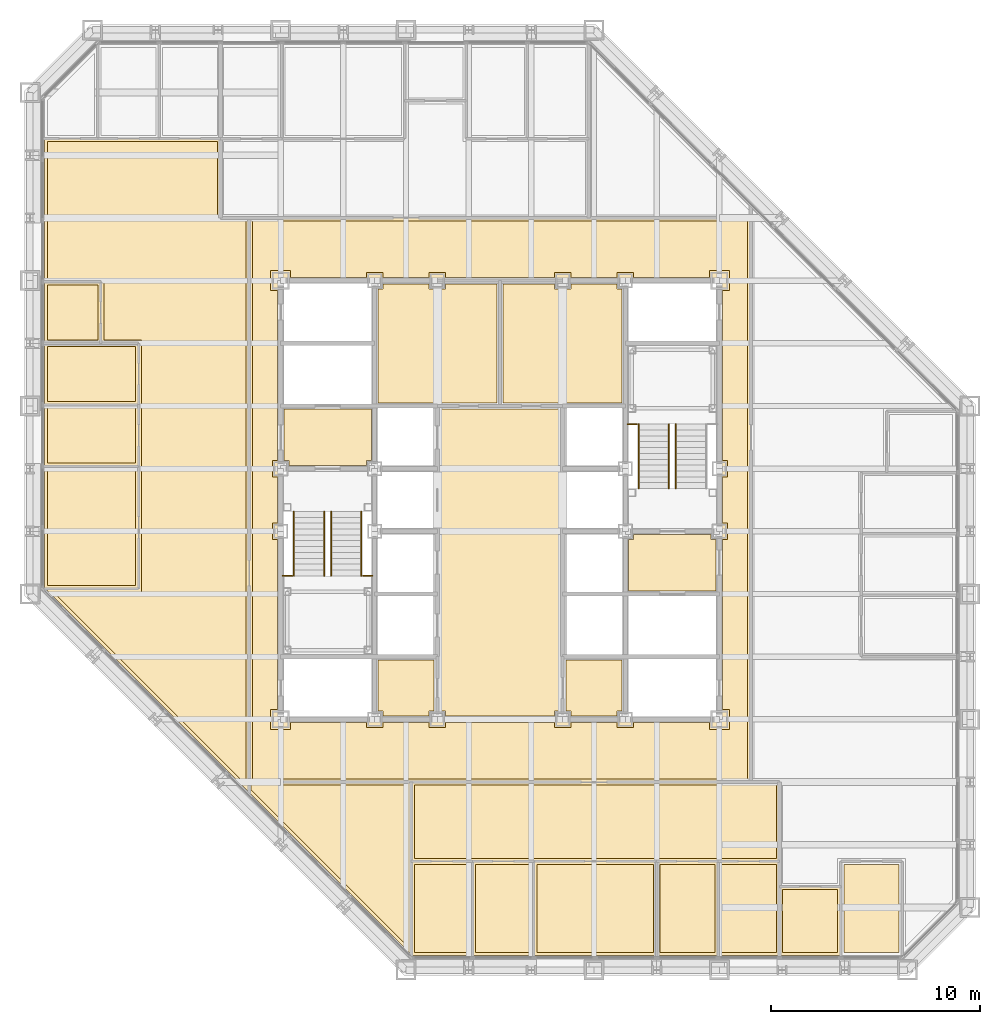
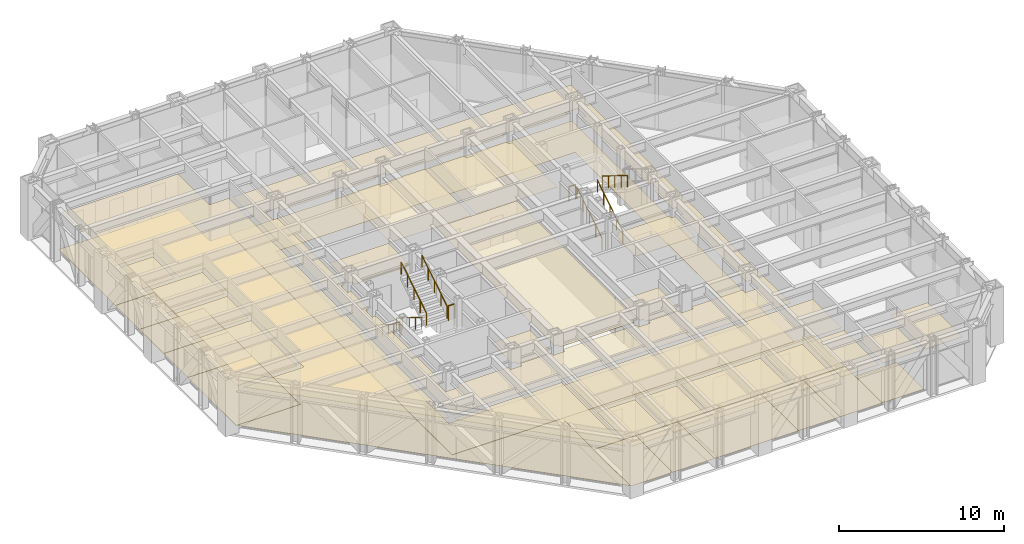
# One storey, part 14 of 16: 35 coverings, 10 railings.
"""IFC4 building model written with IfcOpenShell, lengths in metres."""

from ifc_helpers import new_model, si_unit, direction, frame, origin, origin_2d, place, context, subcontext, project, spatial, polyline, circle, outline, extrude, material, layer, layer_set, type_object, element, save


model = new_model("IFC4")

# Units and contexts
model_context = context("Model", 3, precision=1e-05, world=origin(), true_north=direction((0.0, 1.0)))
body_context = subcontext(model_context, "Body", "Model", "MODEL_VIEW")
ifc_project = project(units=[si_unit("LENGTHUNIT", "METRE"), si_unit("AREAUNIT", "SQUARE_METRE"), si_unit("VOLUMEUNIT", "CUBIC_METRE"), si_unit("PLANEANGLEUNIT", "RADIAN"), si_unit("MASSUNIT", "GRAM", prefix="KILO")], contexts=[model_context])

# Site, building, storey
site_placement = place(None, origin())
site = spatial("IfcSite", under=ifc_project, at=site_placement, CompositionType="ELEMENT")
building_placement = place(site_placement, origin())
building = spatial("IfcBuilding", under=site, at=building_placement, Name="Chuquiago Exchange Tower", CompositionType="ELEMENT")
storey_placement = place(building_placement, frame((0.0, 0.0, 106.800048828125)))
storey = spatial("IfcBuildingStorey", under=building, at=storey_placement, Name="L22", CompositionType="ELEMENT", Elevation=106.800048828125)

# Coverings
ifc_material_1 = material(Name="Mineral fibre tile, 600 x 600, on pale metal grid", Category="mineral fibre")
ifc_layer_1 = layer(ifc_material_1, 0.02001953125)
ifc_layer_set_1 = layer_set([ifc_layer_1], Name="CL1 suspended tile ceiling 20")
covering_type_1 = type_object("IfcCoveringType", Name="CL1 suspended tile ceiling 20", PredefinedType="CEILING", material=ifc_layer_set_1)
covering_1_placement = place(storey_placement, frame((0.0, 0.0, 2.800048828125)))
element("IfcCovering", 1, at=covering_1_placement, inside=storey, type_object=covering_type_1, Name="Ceiling Office", PredefinedType="CEILING", context=body_context, shape_type="SweptSolid", body=[
    extrude(outline(polyline([(18.3984375, 5.050048828125), (21.036376953125, 5.050048828125), (21.036376953125, 0.85009765625), (18.3984375, 0.85009765625), (18.3984375, 5.050048828125)])), origin(), (0.0, 0.0, 1.0), 0.02001953125),
])
covering_2_placement = place(storey_placement, frame((0.0, 0.0, 2.800048828125)))
element("IfcCovering", 2, at=covering_2_placement, inside=storey, type_object=covering_type_1, Name="Ceiling Office", PredefinedType="CEILING", context=body_context, shape_type="SweptSolid", body=[
    extrude(outline(polyline([(21.33642578125, 5.050048828125), (23.974365234375, 5.050048828125), (23.974365234375, 0.85009765625), (21.33642578125, 0.85009765625), (21.33642578125, 5.050048828125)])), origin(), (0.0, 0.0, 1.0), 0.02001953125),
])
covering_3_placement = place(storey_placement, frame((0.0, 0.0, 2.800048828125)))
element("IfcCovering", 3, at=covering_3_placement, inside=storey, type_object=covering_type_1, Name="Ceiling Meeting room", PredefinedType="CEILING", context=body_context, shape_type="SweptSolid", body=[
    extrude(outline(polyline([(24.2744140625, 5.050048828125), (29.85009765625, 5.050048828125), (29.85009765625, 0.85009765625), (24.2744140625, 0.85009765625), (24.2744140625, 5.050048828125)])), origin(), (0.0, 0.0, 1.0), 0.02001953125),
])
covering_4_placement = place(storey_placement, frame((0.0, 0.0, 2.800048828125)))
element("IfcCovering", 4, at=covering_4_placement, inside=storey, type_object=covering_type_1, Name="Ceiling Office", PredefinedType="CEILING", context=body_context, shape_type="SweptSolid", body=[
    extrude(outline(polyline([(30.14990234375, 5.050048828125), (32.787841796875, 5.050048828125), (32.787841796875, 0.85009765625), (30.14990234375, 0.85009765625), (30.14990234375, 5.050048828125)])), origin(), (0.0, 0.0, 1.0), 0.02001953125),
])
covering_5_placement = place(storey_placement, frame((0.0, 0.0, 2.800048828125)))
element("IfcCovering", 5, at=covering_5_placement, inside=storey, type_object=covering_type_1, Name="Ceiling Office", PredefinedType="CEILING", context=body_context, shape_type="SweptSolid", body=[
    extrude(outline(polyline([(33.087890625, 5.050048828125), (35.7255859375, 5.050048828125), (35.7255859375, 0.85009765625), (33.087890625, 0.85009765625), (33.087890625, 5.050048828125)])), origin(), (0.0, 0.0, 1.0), 0.02001953125),
])
covering_6_placement = place(storey_placement, frame((0.0, 0.0, 2.800048828125)))
element("IfcCovering", 6, at=covering_6_placement, inside=storey, type_object=covering_type_1, Name="Ceiling Pantry", PredefinedType="CEILING", context=body_context, shape_type="SweptSolid", body=[
    extrude(outline(polyline([(36.025634765625, 3.85009765625), (38.66357421875, 3.85009765625), (38.66357421875, 0.85009765625), (36.025634765625, 0.85009765625), (36.025634765625, 3.85009765625)])), origin(), (0.0, 0.0, 1.0), 0.02001953125),
])
covering_7_placement = place(storey_placement, frame((0.0, 0.0, 2.800048828125)))
element("IfcCovering", 7, at=covering_7_placement, inside=storey, type_object=covering_type_1, Name="Ceiling Office", PredefinedType="CEILING", context=body_context, shape_type="SweptSolid", body=[
    extrude(outline(polyline([(38.963623046875, 0.85009765625), (38.963623046875, 5.050048828125), (41.6015625, 5.050048828125), (41.6015625, 0.85009765625), (38.963623046875, 0.85009765625)])), origin(), (0.0, 0.0, 1.0), 0.02001953125),
])
covering_8_placement = place(storey_placement, frame((0.0, 0.0, 2.800048828125)))
element("IfcCovering", 8, at=covering_8_placement, inside=storey, type_object=covering_type_1, Name="Ceiling Meeting room", PredefinedType="CEILING", context=body_context, shape_type="SweptSolid", body=[
    extrude(outline(polyline([(0.85009765625, 23.974365234375), (5.050048828125, 23.974365234375), (5.050048828125, 18.3984375), (0.85009765625, 18.3984375), (0.85009765625, 23.974365234375)])), origin(), (0.0, 0.0, 1.0), 0.02001953125),
])
covering_9_placement = place(storey_placement, frame((0.0, 0.0, 2.800048828125)))
element("IfcCovering", 9, at=covering_9_placement, inside=storey, type_object=covering_type_1, Name="Ceiling Office", PredefinedType="CEILING", context=body_context, shape_type="SweptSolid", body=[
    extrude(outline(polyline([(5.050048828125, 26.912109375), (5.050048828125, 24.2744140625), (0.85009765625, 24.2744140625), (0.85009765625, 26.912109375), (5.050048828125, 26.912109375)])), origin(), (0.0, 0.0, 1.0), 0.02001953125),
])
covering_10_placement = place(storey_placement, frame((0.0, 0.0, 2.800048828125)))
element("IfcCovering", 10, at=covering_10_placement, inside=storey, type_object=covering_type_1, Name="Ceiling Office", PredefinedType="CEILING", context=body_context, shape_type="SweptSolid", body=[
    extrude(outline(polyline([(5.050048828125, 29.85009765625), (5.050048828125, 27.212158203125), (0.85009765625, 27.212158203125), (0.85009765625, 29.85009765625), (5.050048828125, 29.85009765625)])), origin(), (0.0, 0.0, 1.0), 0.02001953125),
])
covering_11_placement = place(storey_placement, frame((0.0, 0.0, 2.800048828125)))
element("IfcCovering", 11, at=covering_11_placement, inside=storey, type_object=covering_type_1, Name="Ceiling Focus room", PredefinedType="CEILING", context=body_context, shape_type="SweptSolid", body=[
    extrude(outline(polyline([(3.25, 32.787841796875), (3.25, 30.14990234375), (0.85009765625, 30.14990234375), (0.85009765625, 32.787841796875), (3.25, 32.787841796875)])), origin(), (0.0, 0.0, 1.0), 0.02001953125),
])
covering_12_placement = place(storey_placement, frame((0.0, 0.0, 2.800048828125)))
element("IfcCovering", 12, at=covering_12_placement, inside=storey, type_object=covering_type_1, Name="Ceiling Open office south suite", PredefinedType="CEILING", context=body_context, shape_type="SweptSolid", body=[
    extrude(outline(polyline([(18.39892578125, 5.35009765625), (18.39892578125, 8.849609375), (35.72509765625, 8.849609375), (35.72509765625, 5.35009765625), (18.39892578125, 5.35009765625)])), origin(), (0.0, 0.0, 1.0), 0.02001953125),
])
covering_13_placement = place(storey_placement, frame((0.0, 0.0, 2.800048828125)))
element("IfcCovering", 13, at=covering_13_placement, inside=storey, type_object=covering_type_1, Name="Ceiling Open office west suite", PredefinedType="CEILING", context=body_context, shape_type="SweptSolid", body=[
    extrude(outline(polyline([(8.973876953125, 39.64990234375), (8.973876953125, 35.849853515625), (10.349609375, 35.849609375), (10.349609375, 9.0849609375), (10.116943359375, 9.0849609375), (1.103515625, 18.098388671875), (5.35009765625, 18.098388671875), (5.35009765625, 30.14990234375), (3.550048828125, 30.14990234375), (3.550048828125, 33.087890625), (0.85009765625, 33.087890625), (0.85009765625, 39.64990234375), (8.973876953125, 39.64990234375)])), origin(), (0.0, 0.0, 1.0), 0.02001953125),
])
covering_14_placement = place(storey_placement, frame((0.0, 0.0, 2.800048828125)))
element("IfcCovering", 14, at=covering_14_placement, inside=storey, type_object=covering_type_1, Name="Ceiling Open office west suite", PredefinedType="CEILING", context=body_context, shape_type="SweptSolid", body=[
    extrude(outline(polyline([(18.097900390625, 8.849609375), (18.097900390625, 1.10400390625), (10.5849609375, 8.616943359375), (10.5849609375, 8.849853515625), (18.097900390625, 8.849609375)])), origin(), (0.0, 0.0, 1.0), 0.02001953125),
])
covering_15_placement = place(storey_placement, frame((0.0, 0.0, 2.800048828125)))
element("IfcCovering", 15, at=covering_15_placement, inside=storey, type_object=covering_type_1, Name="Ceiling Tenant corridor", PredefinedType="CEILING", context=body_context, shape_type="SweptSolid", body=[
    extrude(outline(polyline([(10.64990234375, 35.85009765625), (34.35009765625, 35.85009765625), (34.35009765625, 9.14990234375), (10.64990234375, 9.14990234375), (10.64990234375, 35.85009765625)]), holes=[polyline([(11.85009765625, 24.39990234375), (11.60009765625, 24.39990234375), (11.60009765625, 23.60009765625), (11.85009765625, 23.60009765625), (11.85009765625, 21.39990234375), (11.60009765625, 21.39990234375), (11.60009765625, 20.60009765625), (11.85009765625, 20.60009765625), (11.85009765625, 12.47509765625), (11.52490234375, 12.47509765625), (11.52490234375, 11.52490234375), (12.47509765625, 11.52490234375), (12.47509765625, 11.85009765625), (16.10009765625, 11.85009765625), (16.10009765625, 11.60009765625), (16.89990234375, 11.60009765625), (16.89990234375, 11.85009765625), (19.10009765625, 11.85009765625), (19.10009765625, 11.60009765625), (19.89990234375, 11.60009765625), (19.89990234375, 11.85009765625), (25.10009765625, 11.85009765625), (25.10009765625, 11.60009765625), (25.89990234375, 11.60009765625), (25.89990234375, 11.85009765625), (28.10009765625, 11.85009765625), (28.10009765625, 11.60009765625), (28.89990234375, 11.60009765625), (28.89990234375, 11.85009765625), (32.52490234375, 11.85009765625), (32.52490234375, 11.52490234375), (33.47509765625, 11.52490234375), (33.47509765625, 12.47509765625), (33.14990234375, 12.47509765625), (33.14990234375, 20.60009765625), (33.39990234375, 20.60009765625), (33.39990234375, 21.39990234375), (33.14990234375, 21.39990234375), (33.14990234375, 23.60009765625), (33.39990234375, 23.60009765625), (33.39990234375, 24.39990234375), (33.14990234375, 24.39990234375), (33.14990234375, 32.52490234375), (33.47509765625, 32.52490234375), (33.47509765625, 33.47509765625), (32.52490234375, 33.47509765625), (32.52490234375, 33.14990234375), (28.89990234375, 33.14990234375), (28.89990234375, 33.39990234375), (28.10009765625, 33.39990234375), (28.10009765625, 33.14990234375), (25.89990234375, 33.14990234375), (25.89990234375, 33.39990234375), (25.10009765625, 33.39990234375), (25.10009765625, 33.14990234375), (19.89990234375, 33.14990234375), (19.89990234375, 33.39990234375), (19.10009765625, 33.39990234375), (19.10009765625, 33.14990234375), (16.89990234375, 33.14990234375), (16.89990234375, 33.39990234375), (16.10009765625, 33.39990234375), (16.10009765625, 33.14990234375), (12.47509765625, 33.14990234375), (12.47509765625, 33.47509765625), (11.52490234375, 33.47509765625), (11.52490234375, 32.52490234375), (11.85009765625, 32.52490234375), (11.85009765625, 24.39990234375)])]), origin(), (0.0, 0.0, 1.0), 0.02001953125),
])
ifc_material_2 = material(Name="Moisture resistant plasterboard on metal frame", Category="gypsum")
ifc_layer_2 = layer(ifc_material_2, 0.014892578125)
ifc_layer_set_2 = layer_set([ifc_layer_2], Name="CL2 moisture resistant ceiling 15")
covering_type_2 = type_object("IfcCoveringType", Name="CL2 moisture resistant ceiling 15", PredefinedType="CEILING", material=ifc_layer_set_2)
covering_16_placement = place(storey_placement, frame((0.0, 0.0, 2.599853515625)))
element("IfcCovering", 16, at=covering_16_placement, inside=storey, type_object=covering_type_2, Name="Ceiling Male WC", PredefinedType="CEILING", context=body_context, shape_type="SweptSolid", body=[
    extrude(outline(polyline([(16.64990234375, 27.14990234375), (16.64990234375, 32.60009765625), (16.89990234375, 32.60009765625), (16.89990234375, 32.85009765625), (19.10009765625, 32.85009765625), (19.10009765625, 32.60009765625), (19.89990234375, 32.60009765625), (19.89990234375, 32.85009765625), (22.35009765625, 32.85009765625), (22.35009765625, 27.14990234375), (16.64990234375, 27.14990234375)])), origin(), (0.0, 0.0, 1.0), 0.01513671875),
])
covering_17_placement = place(storey_placement, frame((0.0, 0.0, 2.599853515625)))
element("IfcCovering", 17, at=covering_17_placement, inside=storey, type_object=covering_type_2, Name="Ceiling Female WC", PredefinedType="CEILING", context=body_context, shape_type="SweptSolid", body=[
    extrude(outline(polyline([(22.64990234375, 27.14990234375), (22.64990234375, 32.85009765625), (25.10009765625, 32.85009765625), (25.10009765625, 32.60009765625), (25.89990234375, 32.60009765625), (25.89990234375, 32.85009765625), (28.10009765625, 32.85009765625), (28.10009765625, 32.60009765625), (28.35009765625, 32.60009765625), (28.35009765625, 27.14990234375), (22.64990234375, 27.14990234375)])), origin(), (0.0, 0.0, 1.0), 0.01513671875),
])
covering_18_placement = place(storey_placement, frame((0.0, 0.0, 2.599853515625)))
element("IfcCovering", 18, at=covering_18_placement, inside=storey, type_object=covering_type_2, Name="Ceiling Accessible WC", PredefinedType="CEILING", context=body_context, shape_type="SweptSolid", body=[
    extrude(outline(polyline([(25.89990234375, 12.14990234375), (25.89990234375, 12.39990234375), (25.64990234375, 12.39990234375), (25.64990234375, 14.85009765625), (28.35009765625, 14.85009765625), (28.35009765625, 12.39990234375), (28.10009765625, 12.39990234375), (28.10009765625, 12.14990234375), (25.89990234375, 12.14990234375)])), origin(), (0.0, 0.0, 1.0), 0.01513671875),
])
covering_19_placement = place(storey_placement, frame((0.0, 0.0, 2.599853515625)))
element("IfcCovering", 19, at=covering_19_placement, inside=storey, type_object=covering_type_2, Name="Ceiling Cleaner", PredefinedType="CEILING", context=body_context, shape_type="SweptSolid", body=[
    extrude(outline(polyline([(16.89990234375, 12.14990234375), (16.89990234375, 12.39990234375), (16.64990234375, 12.39990234375), (16.64990234375, 14.85009765625), (19.35009765625, 14.85009765625), (19.35009765625, 12.39990234375), (19.10009765625, 12.39990234375), (19.10009765625, 12.14990234375), (16.89990234375, 12.14990234375)])), origin(), (0.0, 0.0, 1.0), 0.01513671875),
])
ifc_material_3 = material(Name="Pale metal plank ceiling, perforated", Category="aluminium")
ifc_layer_3 = layer(ifc_material_3, 0.030029296875)
ifc_layer_set_3 = layer_set([ifc_layer_3], Name="CL3 metal plank ceiling 30")
covering_type_3 = type_object("IfcCoveringType", Name="CL3 metal plank ceiling 30", PredefinedType="CEILING", material=ifc_layer_set_3)
covering_20_placement = place(storey_placement, frame((0.0, 0.0, 2.800048828125)))
element("IfcCovering", 20, at=covering_20_placement, inside=storey, type_object=covering_type_3, Name="Ceiling Lift lobby", PredefinedType="CEILING", context=body_context, shape_type="SweptSolid", body=[
    extrude(outline(polyline([(19.89990234375, 12.14990234375), (19.89990234375, 12.39990234375), (19.64990234375, 12.39990234375), (19.64990234375, 26.85009765625), (25.35009765625, 26.85009765625), (25.35009765625, 12.39990234375), (25.10009765625, 12.39990234375), (25.10009765625, 12.14990234375), (19.89990234375, 12.14990234375)])), origin(), (0.0, 0.0, 1.0), 0.02978515625),
])
covering_21_placement = place(storey_placement, frame((0.0, 0.0, 2.800048828125)))
element("IfcCovering", 21, at=covering_21_placement, inside=storey, type_object=covering_type_3, Name="Ceiling Firefighting lobby", PredefinedType="CEILING", context=body_context, shape_type="SweptSolid", body=[
    extrude(outline(polyline([(12.39990234375, 24.14990234375), (12.39990234375, 24.39990234375), (12.14990234375, 24.39990234375), (12.14990234375, 26.85009765625), (16.35009765625, 26.85009765625), (16.35009765625, 24.39990234375), (16.10009765625, 24.39990234375), (16.10009765625, 24.14990234375), (12.39990234375, 24.14990234375)])), origin(), (0.0, 0.0, 1.0), 0.02978515625),
])
covering_22_placement = place(storey_placement, frame((0.0, 0.0, 2.800048828125)))
element("IfcCovering", 22, at=covering_22_placement, inside=storey, type_object=covering_type_3, Name="Ceiling Firefighting lobby", PredefinedType="CEILING", context=body_context, shape_type="SweptSolid", body=[
    extrude(outline(polyline([(28.64990234375, 18.14990234375), (28.64990234375, 20.60009765625), (28.89990234375, 20.60009765625), (28.89990234375, 20.85009765625), (32.60009765625, 20.85009765625), (32.60009765625, 20.60009765625), (32.85009765625, 20.60009765625), (32.85009765625, 18.14990234375), (28.64990234375, 18.14990234375)])), origin(), (0.0, 0.0, 1.0), 0.02978515625),
])
ifc_material_4 = material(Name="Carpet tile, 500 x 500, on the floor slab", Category="textile")
ifc_layer_4 = layer(ifc_material_4, 0.010009765625)
ifc_layer_set_4 = layer_set([ifc_layer_4], Name="FL1 carpet tile 10")
covering_type_4 = type_object("IfcCoveringType", Name="FL1 carpet tile 10", PredefinedType="FLOORING", material=ifc_layer_set_4)
covering_23_placement = place(storey_placement, origin())
element("IfcCovering", 23, at=covering_23_placement, inside=storey, type_object=covering_type_4, Name="Floor finish Office", PredefinedType="FLOORING", context=body_context, shape_type="SweptSolid", body=[
    extrude(outline(polyline([(18.289794921875, 0.699951171875), (18.24853515625, 0.741455078125), (18.24853515625, 5.199951171875), (21.186279296875, 5.199951171875), (21.186279296875, 0.699951171875), (18.289794921875, 0.699951171875)])), origin(), (0.0, 0.0, 1.0), 0.010009765625),
])
covering_24_placement = place(storey_placement, origin())
element("IfcCovering", 24, at=covering_24_placement, inside=storey, type_object=covering_type_4, Name="Floor finish Office", PredefinedType="FLOORING", context=body_context, shape_type="SweptSolid", body=[
    extrude(outline(polyline([(21.186279296875, 0.699951171875), (21.186279296875, 5.199951171875), (24.124267578125, 5.199951171875), (24.124267578125, 0.699951171875), (21.186279296875, 0.699951171875)])), origin(), (0.0, 0.0, 1.0), 0.010009765625),
])
covering_25_placement = place(storey_placement, origin())
element("IfcCovering", 25, at=covering_25_placement, inside=storey, type_object=covering_type_4, Name="Floor finish Meeting room", PredefinedType="FLOORING", context=body_context, shape_type="SweptSolid", body=[
    extrude(outline(polyline([(24.124267578125, 0.699951171875), (24.124267578125, 5.199951171875), (30.0, 5.199951171875), (30.0, 0.699951171875), (24.124267578125, 0.699951171875)])), origin(), (0.0, 0.0, 1.0), 0.010009765625),
])
covering_26_placement = place(storey_placement, origin())
element("IfcCovering", 26, at=covering_26_placement, inside=storey, type_object=covering_type_4, Name="Floor finish Office", PredefinedType="FLOORING", context=body_context, shape_type="SweptSolid", body=[
    extrude(outline(polyline([(30.0, 0.699951171875), (30.0, 5.199951171875), (32.93798828125, 5.199951171875), (32.93798828125, 0.699951171875), (30.0, 0.699951171875)])), origin(), (0.0, 0.0, 1.0), 0.010009765625),
])
covering_27_placement = place(storey_placement, origin())
element("IfcCovering", 27, at=covering_27_placement, inside=storey, type_object=covering_type_4, Name="Floor finish Office", PredefinedType="FLOORING", context=body_context, shape_type="SweptSolid", body=[
    extrude(outline(polyline([(32.93798828125, 0.699951171875), (32.93798828125, 5.199951171875), (35.875732421875, 5.199951171875), (35.875732421875, 0.699951171875), (32.93798828125, 0.699951171875)])), origin(), (0.0, 0.0, 1.0), 0.010009765625),
])
covering_28_placement = place(storey_placement, origin())
element("IfcCovering", 28, at=covering_28_placement, inside=storey, type_object=covering_type_4, Name="Floor finish Meeting room", PredefinedType="FLOORING", context=body_context, shape_type="SweptSolid", body=[
    extrude(outline(polyline([(0.699951171875, 24.124267578125), (5.199951171875, 24.124267578125), (5.199951171875, 18.24853515625), (0.741455078125, 18.24853515625), (0.699951171875, 18.289794921875), (0.699951171875, 24.124267578125)])), origin(), (0.0, 0.0, 1.0), 0.010009765625),
])
covering_29_placement = place(storey_placement, origin())
element("IfcCovering", 29, at=covering_29_placement, inside=storey, type_object=covering_type_4, Name="Floor finish Office", PredefinedType="FLOORING", context=body_context, shape_type="SweptSolid", body=[
    extrude(outline(polyline([(0.699951171875, 27.06201171875), (5.199951171875, 27.06201171875), (5.199951171875, 24.124267578125), (0.699951171875, 24.124267578125), (0.699951171875, 27.06201171875)])), origin(), (0.0, 0.0, 1.0), 0.010009765625),
])
covering_30_placement = place(storey_placement, origin())
element("IfcCovering", 30, at=covering_30_placement, inside=storey, type_object=covering_type_4, Name="Floor finish Office", PredefinedType="FLOORING", context=body_context, shape_type="SweptSolid", body=[
    extrude(outline(polyline([(0.699951171875, 30.0), (5.199951171875, 30.0), (5.199951171875, 27.06201171875), (0.699951171875, 27.06201171875), (0.699951171875, 30.0)])), origin(), (0.0, 0.0, 1.0), 0.010009765625),
])
covering_31_placement = place(storey_placement, origin())
element("IfcCovering", 31, at=covering_31_placement, inside=storey, type_object=covering_type_4, Name="Floor finish Focus room", PredefinedType="FLOORING", context=body_context, shape_type="SweptSolid", body=[
    extrude(outline(polyline([(0.699951171875, 32.93798828125), (3.39990234375, 32.93798828125), (3.39990234375, 30.0), (0.699951171875, 30.0), (0.699951171875, 32.93798828125)])), origin(), (0.0, 0.0, 1.0), 0.010009765625),
])
covering_32_placement = place(storey_placement, origin())
element("IfcCovering", 32, at=covering_32_placement, inside=storey, type_object=covering_type_4, Name="Floor finish Open office south suite", PredefinedType="FLOORING", context=body_context, shape_type="SweptSolid", body=[
    extrude(outline(polyline([(35.875244140625, 5.199951171875), (18.2490234375, 5.199951171875), (18.2490234375, 8.99951171875), (35.875244140625, 8.99951171875), (35.875244140625, 5.199951171875)])), origin(), (0.0, 0.0, 1.0), 0.010009765625),
])
covering_33_placement = place(storey_placement, origin())
element("IfcCovering", 33, at=covering_33_placement, inside=storey, type_object=covering_type_4, Name="Floor finish Open office west suite", PredefinedType="FLOORING", context=body_context, shape_type="SweptSolid", body=[
    extrude(outline(polyline([(0.699951171875, 39.800048828125), (9.123779296875, 39.800048828125), (9.123779296875, 35.999755859375), (10.49951171875, 35.99951171875), (10.49951171875, 9.0), (18.248046875, 8.99951171875), (18.248046875, 0.741943359375), (0.741455078125, 18.24853515625), (5.199951171875, 18.24853515625), (5.199951171875, 30.0), (3.39990234375, 30.0), (3.39990234375, 32.93798828125), (0.699951171875, 32.93798828125), (0.699951171875, 39.800048828125)])), origin(), (0.0, 0.0, 1.0), 0.010009765625),
])
ifc_material_5 = material(Name="Porcelain floor tile, 600 x 600, on adhesive bed", Category="ceramic")
ifc_layer_5 = layer(ifc_material_5, 0.014892578125)
ifc_layer_set_5 = layer_set([ifc_layer_5], Name="FL2 porcelain tile 15")
covering_type_5 = type_object("IfcCoveringType", Name="FL2 porcelain tile 15", PredefinedType="FLOORING", material=ifc_layer_set_5)
covering_34_placement = place(storey_placement, origin())
element("IfcCovering", 34, at=covering_34_placement, inside=storey, type_object=covering_type_5, Name="Floor finish Pantry", PredefinedType="FLOORING", context=body_context, shape_type="SweptSolid", body=[
    extrude(outline(polyline([(35.875732421875, 0.699951171875), (35.875732421875, 4.0), (38.813720703125, 4.0), (38.813720703125, 0.699951171875), (35.875732421875, 0.699951171875)])), origin(), (0.0, 0.0, 1.0), 0.014892578125),
])
covering_35_placement = place(storey_placement, origin())
element("IfcCovering", 35, at=covering_35_placement, inside=storey, type_object=covering_type_5, Name="Floor finish Tenant corridor", PredefinedType="FLOORING", context=body_context, shape_type="SweptSolid", body=[
    extrude(outline(polyline([(10.5, 9.0), (10.5, 36.0), (34.5, 36.0), (34.5, 9.0), (10.5, 9.0)]), holes=[polyline([(12.0, 33.0), (12.0, 12.0), (33.0, 12.0), (33.0, 33.0), (12.0, 33.0)])]), origin(), (0.0, 0.0, 1.0), 0.014892578125),
])

# Railings
ifc_material_6 = material(Name="Pale metal guard with safety glass infill", Category="glass")
railing_type_1 = type_object("IfcRailingType", Name="GR1 guard 1100", PredefinedType="GUARDRAIL", material=ifc_material_6)
for number, where, name in (
    (36, (12.10009765625, 18.8701171875, 2.099853515625), "Guard ST1 L22 landing 2"),
    (37, (15.945068359375, 18.8701171875, 2.099853515625), "Guard ST1 L22 landing 2"),
    (38, (28.60009765625, 26.1298828125, 2.099853515625), "Guard ST2 L22 landing 2"),
):
    element("IfcRailing", number, at=place(storey_placement, frame(where)), inside=storey, type_object=railing_type_1, Name=name, PredefinedType="GUARDRAIL", context=body_context, shape_type="SweptSolid", body=[
        extrude(circle(Radius=0.02392578125, at=origin_2d()), frame((0.0, 0.0, 1.076171875), z_axis=(1.0, 0.0, 0.0), x_axis=(0.0, 1.0, 0.0)), (0.0, 0.0, 1.0), 0.454833984375),
        extrude(circle(Radius=0.02099609375, at=origin_2d()), origin(), (0.0, 0.0, 1.0), 1.052001953125),
        extrude(circle(Radius=0.02099609375, at=origin_2d()), frame((0.454833984375, 0.0, 0.0)), (0.0, 0.0, 1.0), 1.052001953125),
    ])
ifc_material_7 = material(Name="Pale metal handrail", Category="steel")
railing_type_2 = type_object("IfcRailingType", Name="HR1 handrail 900", PredefinedType="HANDRAIL", material=ifc_material_7)
for number, where, name in (
    (39, (12.635009765625, 21.949951171875, 0.175048828125), "Handrail ST1 L22 flight 1"),
    (40, (14.0849609375, 21.949951171875, 0.175048828125), "Handrail ST1 L22 flight 1"),
):
    element("IfcRailing", number, at=place(storey_placement, frame(where)), inside=storey, type_object=railing_type_2, Name=name, PredefinedType="HANDRAIL", context=body_context, shape_type="SweptSolid", body=[
        extrude(circle(Radius=0.02392578125, at=origin_2d()), frame((0.0, 0.0, 0.8759765625), z_axis=(0.0, -0.848009633417, 0.529980812513), x_axis=(1.0, 0.0, 0.0)), (0.0, 0.0, 1.0), 3.6318359375),
        extrude(circle(Radius=0.02099609375, at=origin_2d()), origin(), (0.0, 0.0, 1.0), 0.851806640625),
        extrude(circle(Radius=0.02099609375, at=origin_2d()), frame((0.0, -0.77001953125, 0.481201171875)), (0.0, 0.0, 1.0), 0.851806640625),
        extrude(circle(Radius=0.02099609375, at=origin_2d()), frame((0.0, -1.5400390625, 0.96240234375)), (0.0, 0.0, 1.0), 0.851806640625),
        extrude(circle(Radius=0.02099609375, at=origin_2d()), frame((0.0, -2.309814453125, 1.443603515625)), (0.0, 0.0, 1.0), 0.851806640625),
        extrude(circle(Radius=0.02099609375, at=origin_2d()), frame((0.0, -3.079833984375, 1.9248046875)), (0.0, 0.0, 1.0), 0.851806640625),
    ])
for number, where, name in (
    (41, (15.864990234375, 18.8701171875, 2.27490234375), "Handrail ST1 L22 flight 2"),
    (42, (14.4150390625, 18.8701171875, 2.27490234375), "Handrail ST1 L22 flight 2"),
):
    element("IfcRailing", number, at=place(storey_placement, frame(where)), inside=storey, type_object=railing_type_2, Name=name, PredefinedType="HANDRAIL", context=body_context, shape_type="SweptSolid", body=[
        extrude(circle(Radius=0.02392578125, at=origin_2d()), frame((0.0, 0.0, 0.8759765625), z_axis=(0.0, 0.847979421464, 0.530029150871), x_axis=(-1.0, 0.0, 0.0)), (0.0, 0.0, 1.0), 3.632080078125),
        extrude(circle(Radius=0.02099609375, at=origin_2d()), origin(), (0.0, 0.0, 1.0), 0.851806640625),
        extrude(circle(Radius=0.02099609375, at=origin_2d()), frame((0.0, 0.77001953125, 0.481201171875)), (0.0, 0.0, 1.0), 0.851806640625),
        extrude(circle(Radius=0.02099609375, at=origin_2d()), frame((0.0, 1.5400390625, 0.96240234375)), (0.0, 0.0, 1.0), 0.851806640625),
        extrude(circle(Radius=0.02099609375, at=origin_2d()), frame((0.0, 2.309814453125, 1.44384765625)), (0.0, 0.0, 1.0), 0.851806640625),
        extrude(circle(Radius=0.02099609375, at=origin_2d()), frame((0.0, 3.079833984375, 1.925048828125)), (0.0, 0.0, 1.0), 0.851806640625),
    ])
for number, where, name in (
    (43, (30.5849609375, 23.050048828125, 0.175048828125), "Handrail ST2 L22 flight 1"),
    (44, (29.135009765625, 23.050048828125, 0.175048828125), "Handrail ST2 L22 flight 1"),
):
    element("IfcRailing", number, at=place(storey_placement, frame(where)), inside=storey, type_object=railing_type_2, Name=name, PredefinedType="HANDRAIL", context=body_context, shape_type="SweptSolid", body=[
        extrude(circle(Radius=0.02392578125, at=origin_2d()), frame((0.0, 0.0, 0.8759765625), z_axis=(0.0, 0.848009633417, 0.529980812513), x_axis=(-1.0, 0.0, 0.0)), (0.0, 0.0, 1.0), 3.6318359375),
        extrude(circle(Radius=0.02099609375, at=origin_2d()), origin(), (0.0, 0.0, 1.0), 0.851806640625),
        extrude(circle(Radius=0.02099609375, at=origin_2d()), frame((0.0, 0.77001953125, 0.481201171875)), (0.0, 0.0, 1.0), 0.851806640625),
        extrude(circle(Radius=0.02099609375, at=origin_2d()), frame((0.0, 1.5400390625, 0.96240234375)), (0.0, 0.0, 1.0), 0.851806640625),
        extrude(circle(Radius=0.02099609375, at=origin_2d()), frame((0.0, 2.309814453125, 1.443603515625)), (0.0, 0.0, 1.0), 0.851806640625),
        extrude(circle(Radius=0.02099609375, at=origin_2d()), frame((0.0, 3.079833984375, 1.9248046875)), (0.0, 0.0, 1.0), 0.851806640625),
    ])
railing_placement = place(storey_placement, frame((30.9150390625, 26.1298828125, 2.27490234375)))
element("IfcRailing", 45, at=railing_placement, inside=storey, type_object=railing_type_2, Name="Handrail ST2 L22 flight 2", PredefinedType="HANDRAIL", context=body_context, shape_type="SweptSolid", body=[
    extrude(circle(Radius=0.02392578125, at=origin_2d()), frame((0.0, 0.0, 0.8759765625), z_axis=(0.0, -0.847979421464, 0.530029150871), x_axis=(1.0, 0.0, 0.0)), (0.0, 0.0, 1.0), 3.632080078125),
    extrude(circle(Radius=0.02099609375, at=origin_2d()), origin(), (0.0, 0.0, 1.0), 0.851806640625),
    extrude(circle(Radius=0.02099609375, at=origin_2d()), frame((0.0, -0.77001953125, 0.481201171875)), (0.0, 0.0, 1.0), 0.851806640625),
    extrude(circle(Radius=0.02099609375, at=origin_2d()), frame((0.0, -1.5400390625, 0.96240234375)), (0.0, 0.0, 1.0), 0.851806640625),
    extrude(circle(Radius=0.02099609375, at=origin_2d()), frame((0.0, -2.309814453125, 1.44384765625)), (0.0, 0.0, 1.0), 0.851806640625),
    extrude(circle(Radius=0.02099609375, at=origin_2d()), frame((0.0, -3.079833984375, 1.925048828125)), (0.0, 0.0, 1.0), 0.851806640625),
])

save(model, "model.ifc")
